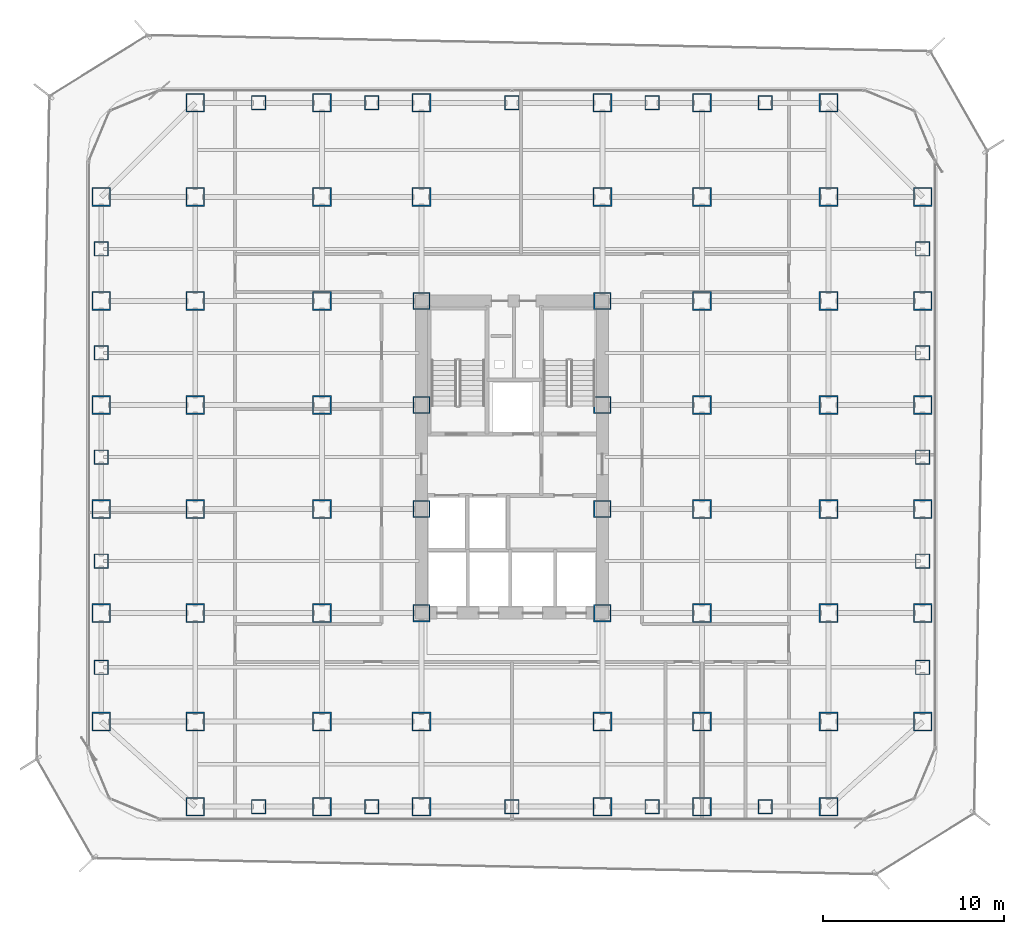
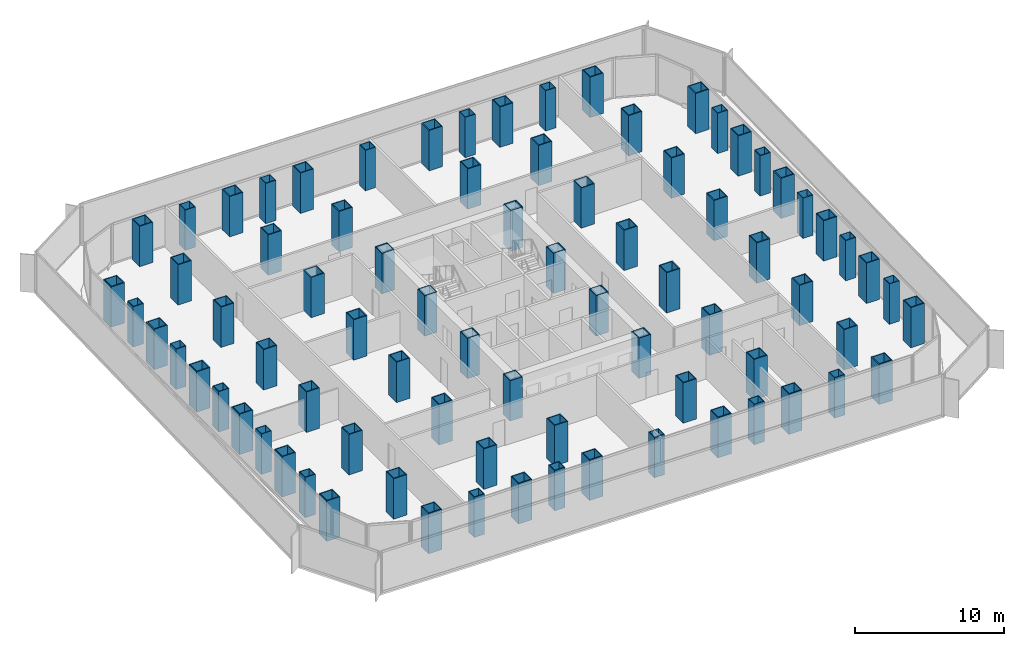
# One storey, part 1 of 21: 80 columns.
"""IFC4 building model written with IfcOpenShell, lengths in metres."""

from ifc_helpers import new_model, si_unit, direction, frame, origin, origin_2d, place, context, subcontext, project, spatial, hollow_rectangle, extrude, source, transform, mapped, material, material_profile, profile_set, type_object, element, save


model = new_model("IFC4")

# Units and contexts
model_context = context("Model", 3, precision=1e-05, world=origin(), true_north=direction((0.0, 1.0)))
body_context = subcontext(model_context, "Body", "Model", "MODEL_VIEW")
ifc_project = project(units=[si_unit("LENGTHUNIT", "METRE"), si_unit("AREAUNIT", "SQUARE_METRE"), si_unit("VOLUMEUNIT", "CUBIC_METRE"), si_unit("PLANEANGLEUNIT", "RADIAN"), si_unit("MASSUNIT", "GRAM", prefix="KILO")], contexts=[model_context])

# Site, building, storey
site_placement = place(None, origin())
site = spatial("IfcSite", under=ifc_project, at=site_placement, CompositionType="ELEMENT")
building_placement = place(site_placement, origin())
building = spatial("IfcBuilding", under=site, at=building_placement, Name="Kolveth Station Tower", CompositionType="ELEMENT")
storey_placement = place(building_placement, frame((0.0, 0.0, 26.10009765625)))
storey = spatial("IfcBuildingStorey", under=building, at=storey_placement, Name="L06", CompositionType="ELEMENT", Elevation=26.10009765625)

# Columns
ifc_material_1 = material(Name="Steel S460", Category="steel")
ifc_material_profile_1 = material_profile(ifc_material_1, hollow_rectangle(XDim=1.0400390625, YDim=1.0400390625, WallThickness=0.06494140625, at=origin_2d()), Name="BOX1040x1040x65")
ifc_profile_set_1 = profile_set([ifc_material_profile_1], Name="Steel S460")
column_type_1 = type_object("IfcColumnType", Name="Col_C2", PredefinedType="COLUMN", material=ifc_profile_set_1)
shared_shape_1 = source(origin(), body_context, "Body", "SweptSolid", [
    extrude(hollow_rectangle(XDim=1.0400390625, YDim=1.0400390625, WallThickness=0.06494140625, at=origin_2d()), origin(), (0.0, 0.0, 1.0), 3.31982421875),
])
for number, where, z_axis, x_axis, name in (
    (1, (6.0, 0.800048828125, 0.0), (0.0, 0.0, 1.0), (1.0, 0.0, 0.0), "L06 Tower Column S-X60"),
    (2, (6.0, 39.699951171875, 0.0), (0.0, 0.0, 1.0), (1.0, 0.0, 0.0), "L06 Tower Column N-X60"),
    (3, (13.0, 0.800048828125, 0.0), (0.0, 0.0, 1.0), (1.0, 0.0, 0.0), "L06 Tower Column S-X130"),
    (4, (13.0, 39.699951171875, 0.0), (0.0, 0.0, 1.0), (1.0, 0.0, 0.0), "L06 Tower Column N-X130"),
    (5, (18.5, 0.800048828125, 0.0), (0.0, 0.0, 1.0), (1.0, 0.0, 0.0), "L06 Tower Column S-X185"),
    (6, (18.5, 39.699951171875, 0.0), (0.0, 0.0, 1.0), (1.0, 0.0, 0.0), "L06 Tower Column N-X185"),
    (7, (28.5, 0.800048828125, 0.0), (0.0, 0.0, 1.0), (1.0, 0.0, 0.0), "L06 Tower Column S-X285"),
    (8, (28.5, 39.699951171875, 0.0), (0.0, 0.0, 1.0), (1.0, 0.0, 0.0), "L06 Tower Column N-X285"),
    (9, (34.0, 0.800048828125, 0.0), (0.0, 0.0, 1.0), (1.0, 0.0, 0.0), "L06 Tower Column S-X340"),
    (10, (34.0, 39.699951171875, 0.0), (0.0, 0.0, 1.0), (1.0, 0.0, 0.0), "L06 Tower Column N-X340"),
    (11, (41.0, 0.800048828125, 0.0), (0.0, 0.0, 1.0), (1.0, 0.0, 0.0), "L06 Tower Column S-X410"),
    (12, (41.0, 39.699951171875, 0.0), (0.0, 0.0, 1.0), (1.0, 0.0, 0.0), "L06 Tower Column N-X410"),
    (13, (0.800048828125, 5.5, 0.0), (0.0, 0.0, 1.0), (1.0, 0.0, 0.0), "L06 Tower Column W-Y55"),
    (14, (46.199951171875, 5.5, 0.0), (0.0, 0.0, 1.0), (1.0, 0.0, 0.0), "L06 Tower Column E-Y55"),
    (15, (0.800048828125, 11.5, 0.0), (0.0, 0.0, 1.0), (1.0, 0.0, 0.0), "L06 Tower Column W-Y115"),
    (16, (46.199951171875, 11.5, 0.0), (0.0, 0.0, 1.0), (1.0, 0.0, 0.0), "L06 Tower Column E-Y115"),
    (17, (0.800048828125, 17.25, 0.0), (0.0, 0.0, 1.0), (1.0, 0.0, 0.0), "L06 Tower Column W-Y172"),
    (18, (46.199951171875, 17.25, 0.0), (0.0, 0.0, 1.0), (1.0, 0.0, 0.0), "L06 Tower Column E-Y172"),
    (19, (0.800048828125, 23.0, 0.0), (0.0, 0.0, 1.0), (1.0, 0.0, 0.0), "L06 Tower Column W-Y230"),
    (20, (46.199951171875, 23.0, 0.0), (0.0, 0.0, 1.0), (1.0, 0.0, 0.0), "L06 Tower Column E-Y230"),
    (21, (0.800048828125, 28.75, 0.0), (0.0, 0.0, 1.0), (1.0, 0.0, 0.0), "L06 Tower Column W-Y287"),
    (22, (46.199951171875, 28.75, 0.0), (0.0, 0.0, 1.0), (1.0, 0.0, 0.0), "L06 Tower Column E-Y287"),
    (23, (0.800048828125, 34.5, 0.0), (0.0, 0.0, 1.0), (1.0, 0.0, 0.0), "L06 Tower Column W-Y345"),
    (24, (46.199951171875, 34.5, 0.0), (0.0, 0.0, 1.0), (1.0, 0.0, 0.0), "L06 Tower Column E-Y345"),
    (25, (6.0, 5.5, 0.0), (0.0, 0.0, 1.0), (1.0, 0.0, 0.0), "L06 Tower Column G-60-55"),
    (26, (6.0, 11.5, 0.0), (0.0, 0.0, 1.0), (1.0, 0.0, 0.0), "L06 Tower Column G-60-115"),
    (27, (6.0, 17.25, 0.0), (0.0, 0.0, 1.0), (1.0, 0.0, 0.0), "L06 Tower Column G-60-172"),
    (28, (6.0, 23.0, 0.0), (0.0, 0.0, 1.0), (1.0, 0.0, 0.0), "L06 Tower Column G-60-230"),
    (29, (6.0, 28.75, 0.0), (0.0, 0.0, 1.0), (1.0, 0.0, 0.0), "L06 Tower Column G-60-287"),
    (30, (6.0, 34.5, 0.0), (0.0, 0.0, 1.0), (1.0, 0.0, 0.0), "L06 Tower Column G-60-345"),
    (31, (13.0, 5.5, 0.0), (0.0, 0.0, 1.0), (1.0, 0.0, 0.0), "L06 Tower Column G-130-55"),
    (32, (13.0, 11.5, 0.0), (0.0, 0.0, 1.0), (1.0, 0.0, 0.0), "L06 Tower Column G-130-115"),
    (33, (13.0, 17.25, 0.0), (0.0, 0.0, 1.0), (1.0, 0.0, 0.0), "L06 Tower Column G-130-172"),
    (34, (13.0, 23.0, 0.0), (0.0, 0.0, 1.0), (1.0, 0.0, 0.0), "L06 Tower Column G-130-230"),
    (35, (13.0, 28.75, 0.0), (0.0, 0.0, 1.0), (1.0, 0.0, 0.0), "L06 Tower Column G-130-287"),
    (36, (13.0, 34.5, 0.0), (0.0, 0.0, 1.0), (1.0, 0.0, 0.0), "L06 Tower Column G-130-345"),
    (37, (18.5, 5.5, 0.0), (0.0, 0.0, 1.0), (1.0, 0.0, 0.0), "L06 Tower Column G-185-55"),
    (38, (18.5, 34.5, 0.0), (0.0, 0.0, 1.0), (1.0, 0.0, 0.0), "L06 Tower Column G-185-345"),
    (39, (28.5, 5.5, 0.0), (0.0, 0.0, 1.0), (1.0, 0.0, 0.0), "L06 Tower Column G-285-55"),
    (40, (28.5, 34.5, 0.0), (0.0, 0.0, 1.0), (1.0, 0.0, 0.0), "L06 Tower Column G-285-345"),
    (41, (34.0, 5.5, 0.0), (0.0, 0.0, 1.0), (1.0, 0.0, 0.0), "L06 Tower Column G-340-55"),
    (42, (34.0, 11.5, 0.0), (0.0, 0.0, 1.0), (1.0, 0.0, 0.0), "L06 Tower Column G-340-115"),
    (43, (34.0, 17.25, 0.0), (0.0, 0.0, 1.0), (1.0, 0.0, 0.0), "L06 Tower Column G-340-172"),
    (44, (34.0, 23.0, 0.0), (0.0, 0.0, 1.0), (1.0, 0.0, 0.0), "L06 Tower Column G-340-230"),
    (45, (34.0, 28.75, 0.0), (0.0, 0.0, 1.0), (1.0, 0.0, 0.0), "L06 Tower Column G-340-287"),
    (46, (34.0, 34.5, 0.0), (0.0, 0.0, 1.0), (1.0, 0.0, 0.0), "L06 Tower Column G-340-345"),
    (47, (41.0, 5.5, 0.0), (0.0, 0.0, 1.0), (1.0, 0.0, 0.0), "L06 Tower Column G-410-55"),
    (48, (41.0, 11.5, 0.0), (0.0, 0.0, 1.0), (1.0, 0.0, 0.0), "L06 Tower Column G-410-115"),
    (49, (41.0, 17.25, 0.0), (0.0, 0.0, 1.0), (1.0, 0.0, 0.0), "L06 Tower Column G-410-172"),
    (50, (41.0, 23.0, 0.0), (0.0, 0.0, 1.0), (1.0, 0.0, 0.0), "L06 Tower Column G-410-230"),
    (51, (41.0, 28.75, 0.0), (0.0, 0.0, 1.0), (1.0, 0.0, 0.0), "L06 Tower Column G-410-287"),
    (52, (41.0, 34.5, 0.0), (0.0, 0.0, 1.0), (1.0, 0.0, 0.0), "L06 Tower Column G-410-345"),
):
    element("IfcColumn", number, at=place(storey_placement, frame(where, z_axis=z_axis, x_axis=x_axis)), inside=storey, type_object=column_type_1, Name=name, PredefinedType="COLUMN", context=body_context, shape_type="MappedRepresentation", body=[
        mapped(shared_shape_1, transform((0.0, 0.0, 0.0), x_axis=(1.0, 0.0, 0.0), y_axis=(0.0, 1.0, 0.0), z_axis=(0.0, 0.0, 1.0), scale=1.0)),
    ])
ifc_material_profile_2 = material_profile(ifc_material_1, hollow_rectangle(XDim=0.9599609375, YDim=0.9599609375, WallThickness=0.06005859375, at=origin_2d()), Name="BOX960x960x60")
ifc_profile_set_2 = profile_set([ifc_material_profile_2], Name="Steel S460")
column_type_2 = type_object("IfcColumnType", Name="Col_C3", PredefinedType="COLUMN", material=ifc_profile_set_2)
shared_shape_2 = source(origin(), body_context, "Body", "SweptSolid", [
    extrude(hollow_rectangle(XDim=0.9599609375, YDim=0.9599609375, WallThickness=0.06005859375, at=origin_2d()), origin(), (0.0, 0.0, 1.0), 3.31982421875),
])
for number, where, z_axis, x_axis, name in (
    (53, (18.5, 11.5, 0.0), (0.0, 0.0, 1.0), (1.0, 0.0, 0.0), "L06 Tower Column G-185-115"),
    (54, (18.5, 17.25, 0.0), (0.0, 0.0, 1.0), (1.0, 0.0, 0.0), "L06 Tower Column G-185-172"),
    (55, (18.5, 23.0, 0.0), (0.0, 0.0, 1.0), (1.0, 0.0, 0.0), "L06 Tower Column G-185-230"),
    (56, (18.5, 28.75, 0.0), (0.0, 0.0, 1.0), (1.0, 0.0, 0.0), "L06 Tower Column G-185-287"),
    (57, (28.5, 11.5, 0.0), (0.0, 0.0, 1.0), (1.0, 0.0, 0.0), "L06 Tower Column G-285-115"),
    (58, (28.5, 17.25, 0.0), (0.0, 0.0, 1.0), (1.0, 0.0, 0.0), "L06 Tower Column G-285-172"),
    (59, (28.5, 23.0, 0.0), (0.0, 0.0, 1.0), (1.0, 0.0, 0.0), "L06 Tower Column G-285-230"),
    (60, (28.5, 28.75, 0.0), (0.0, 0.0, 1.0), (1.0, 0.0, 0.0), "L06 Tower Column G-285-287"),
):
    element("IfcColumn", number, at=place(storey_placement, frame(where, z_axis=z_axis, x_axis=x_axis)), inside=storey, type_object=column_type_2, Name=name, PredefinedType="COLUMN", context=body_context, shape_type="MappedRepresentation", body=[
        mapped(shared_shape_2, transform((0.0, 0.0, 0.0), x_axis=(1.0, 0.0, 0.0), y_axis=(0.0, 1.0, 0.0), z_axis=(0.0, 0.0, 1.0), scale=1.0)),
    ])
ifc_material_2 = material(Name="Steel S355", Category="steel")
ifc_material_profile_3 = material_profile(ifc_material_2, hollow_rectangle(XDim=0.800048828125, YDim=0.800048828125, WallThickness=0.044921875, at=origin_2d()), Name="BOX800x800x45")
ifc_profile_set_3 = profile_set([ifc_material_profile_3], Name="Steel S355")
column_type_3 = type_object("IfcColumnType", Name="Col_C5", PredefinedType="COLUMN", material=ifc_profile_set_3)
shared_shape_3 = source(origin(), body_context, "Body", "SweptSolid", [
    extrude(hollow_rectangle(XDim=0.800048828125, YDim=0.800048828125, WallThickness=0.044921875, at=origin_2d()), origin(), (0.0, 0.0, 1.0), 3.31982421875),
])
for number, where, z_axis, x_axis, name in (
    (61, (9.5, 0.800048828125, 0.0), (0.0, 0.0, 1.0), (1.0, 0.0, 0.0), "L06 Tower Column MS-X95"),
    (62, (9.5, 39.699951171875, 0.0), (0.0, 0.0, 1.0), (1.0, 0.0, 0.0), "L06 Tower Column MN-X95"),
    (63, (15.75, 0.800048828125, 0.0), (0.0, 0.0, 1.0), (1.0, 0.0, 0.0), "L06 Tower Column MS-X157"),
    (64, (15.75, 39.699951171875, 0.0), (0.0, 0.0, 1.0), (1.0, 0.0, 0.0), "L06 Tower Column MN-X157"),
    (65, (23.5, 0.800048828125, 0.0), (0.0, 0.0, 1.0), (1.0, 0.0, 0.0), "L06 Tower Column MS-X235"),
    (66, (23.5, 39.699951171875, 0.0), (0.0, 0.0, 1.0), (1.0, 0.0, 0.0), "L06 Tower Column MN-X235"),
    (67, (31.25, 0.800048828125, 0.0), (0.0, 0.0, 1.0), (1.0, 0.0, 0.0), "L06 Tower Column MS-X312"),
    (68, (31.25, 39.699951171875, 0.0), (0.0, 0.0, 1.0), (1.0, 0.0, 0.0), "L06 Tower Column MN-X312"),
    (69, (37.5, 0.800048828125, 0.0), (0.0, 0.0, 1.0), (1.0, 0.0, 0.0), "L06 Tower Column MS-X375"),
    (70, (37.5, 39.699951171875, 0.0), (0.0, 0.0, 1.0), (1.0, 0.0, 0.0), "L06 Tower Column MN-X375"),
    (71, (0.800048828125, 8.5, 0.0), (0.0, 0.0, 1.0), (1.0, 0.0, 0.0), "L06 Tower Column MW-Y85"),
    (72, (46.199951171875, 8.5, 0.0), (0.0, 0.0, 1.0), (1.0, 0.0, 0.0), "L06 Tower Column ME-Y85"),
    (73, (0.800048828125, 14.375, 0.0), (0.0, 0.0, 1.0), (1.0, 0.0, 0.0), "L06 Tower Column MW-Y143"),
    (74, (46.199951171875, 14.375, 0.0), (0.0, 0.0, 1.0), (1.0, 0.0, 0.0), "L06 Tower Column ME-Y143"),
    (75, (0.800048828125, 20.125, 0.0), (0.0, 0.0, 1.0), (1.0, 0.0, 0.0), "L06 Tower Column MW-Y201"),
    (76, (46.199951171875, 20.125, 0.0), (0.0, 0.0, 1.0), (1.0, 0.0, 0.0), "L06 Tower Column ME-Y201"),
    (77, (0.800048828125, 25.875, 0.0), (0.0, 0.0, 1.0), (1.0, 0.0, 0.0), "L06 Tower Column MW-Y258"),
    (78, (46.199951171875, 25.875, 0.0), (0.0, 0.0, 1.0), (1.0, 0.0, 0.0), "L06 Tower Column ME-Y258"),
    (79, (0.800048828125, 31.625, 0.0), (0.0, 0.0, 1.0), (1.0, 0.0, 0.0), "L06 Tower Column MW-Y316"),
    (80, (46.199951171875, 31.625, 0.0), (0.0, 0.0, 1.0), (1.0, 0.0, 0.0), "L06 Tower Column ME-Y316"),
):
    element("IfcColumn", number, at=place(storey_placement, frame(where, z_axis=z_axis, x_axis=x_axis)), inside=storey, type_object=column_type_3, Name=name, PredefinedType="COLUMN", context=body_context, shape_type="MappedRepresentation", body=[
        mapped(shared_shape_3, transform((0.0, 0.0, 0.0), x_axis=(1.0, 0.0, 0.0), y_axis=(0.0, 1.0, 0.0), z_axis=(0.0, 0.0, 1.0), scale=1.0)),
    ])

save(model, "model.ifc")
